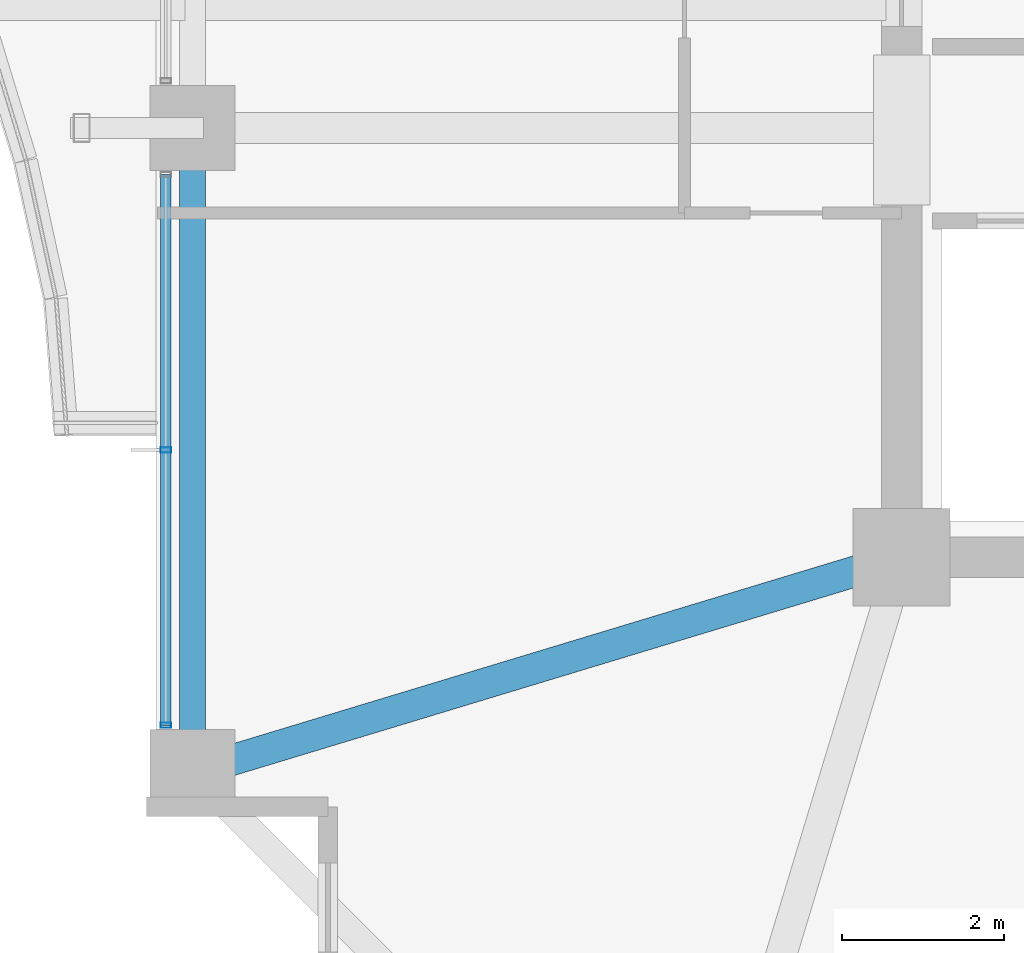
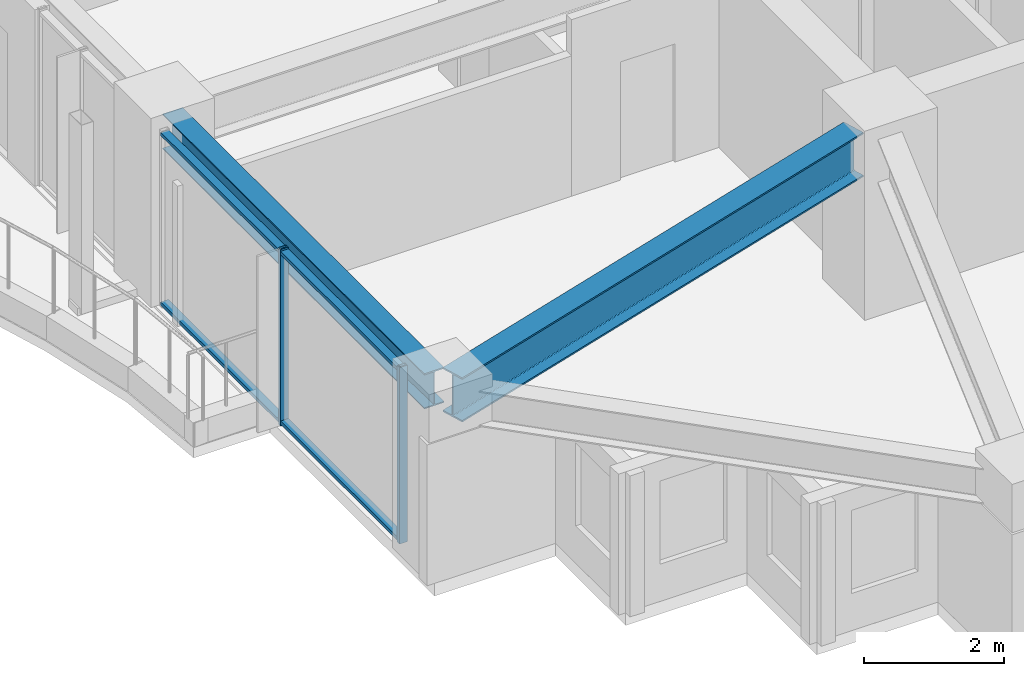
# One storey, part 3 of 38: 4 members, 2 beams, 1 element without a shape of its own.
"""IFC4 building model written with IfcOpenShell, lengths in metres."""

from ifc_helpers import new_model, si_unit, direction, frame, origin, origin_2d, place, context, subcontext, project, spatial, hollow_rectangle, i_section, extrude, material, material_profile, profile_set, type_object, element, aggregate, save


model = new_model("IFC4")

# Units and contexts
model_context = context("Model", 3, precision=1e-05, world=origin(), true_north=direction((0.0, 1.0)))
body_context = subcontext(model_context, "Body", "Model", "MODEL_VIEW")
ifc_project = project(units=[si_unit("LENGTHUNIT", "METRE"), si_unit("AREAUNIT", "SQUARE_METRE"), si_unit("VOLUMEUNIT", "CUBIC_METRE"), si_unit("PLANEANGLEUNIT", "RADIAN"), si_unit("MASSUNIT", "GRAM", prefix="KILO")], contexts=[model_context])

# Site, building, storey
site_placement = place(None, origin())
site = spatial("IfcSite", under=ifc_project, at=site_placement, CompositionType="ELEMENT")
building_placement = place(site_placement, origin())
building = spatial("IfcBuilding", under=site, at=building_placement, Name="Kolvaren Belvedere", CompositionType="ELEMENT")
storey_placement = place(building_placement, frame((0.0, 0.0, 121.699951171875)))
storey = spatial("IfcBuildingStorey", under=building, at=storey_placement, Name="L35", CompositionType="ELEMENT", Elevation=121.699951171875)

# Beams
ifc_material_1 = material(Name="Structural steel ASTM A992 Grade 50", Category="steel")
ifc_material_profile_1 = material_profile(ifc_material_1, i_section(OverallWidth=0.381103515625, OverallDepth=0.77294921875, WebThickness=0.0166015625, FlangeThickness=0.027099609375, FilletRadius=0.02392578125, at=origin_2d()), Name="W30X173")
ifc_profile_set_1 = profile_set([ifc_material_profile_1], Name="Structural steel ASTM A992 Grade 50")
beam_type_1 = type_object("IfcBeamType", Name="BM-GIRD-W30X173", PredefinedType="BEAM", material=ifc_profile_set_1)
beam_1_placement = place(storey_placement, frame((-10.426513671875, -10.059326171875, 2.693603515625), z_axis=(-0.957069465398, -0.289858652454, 0.0), x_axis=(0.289858652454, -0.957069465398, 0.0)))
element("IfcBeam", 1, at=beam_1_placement, inside=storey, type_object=beam_type_1, Name="L35 Corner Core-to-Perimeter Girder CC1-W1", PredefinedType="BEAM", context=body_context, shape_type="SweptSolid", body=[
    extrude(i_section(OverallWidth=0.381103515625, OverallDepth=0.77294921875, WebThickness=0.0166015625, FlangeThickness=0.027099609375, FilletRadius=0.02392578125, at=origin_2d()), origin(), (0.0, 0.0, 1.0), 8.38232421875),
])
ifc_material_2 = material(Name="Structural steel ASTM A992 Grade 50", Category="steel")
ifc_material_profile_2 = material_profile(ifc_material_2, i_section(OverallWidth=0.324951171875, OverallDepth=0.615966796875, WebThickness=0.013916015625, FlangeThickness=0.021484375, FilletRadius=0.02001953125, at=origin_2d()), Name="W24X117")
ifc_profile_set_2 = profile_set([ifc_material_profile_2], Name="Structural steel ASTM A992 Grade 50")
beam_type_2 = type_object("IfcBeamType", Name="BM-SPAN-W24X117", PredefinedType="SPANDREL", material=ifc_profile_set_2)
beam_2_placement = place(storey_placement, frame((-18.64990234375, -4.836181640625, 2.77197265625), z_axis=(0.0, -1.0, 0.0), x_axis=(1.0, 0.0, 0.0)))
element("IfcBeam", 2, at=beam_2_placement, inside=storey, type_object=beam_type_2, Name="L35 Perimeter Spandrel W2-W1", PredefinedType="SPANDREL", context=body_context, shape_type="SweptSolid", body=[
    extrude(i_section(OverallWidth=0.324951171875, OverallDepth=0.615966796875, WebThickness=0.013916015625, FlangeThickness=0.021484375, FilletRadius=0.02001953125, at=origin_2d()), origin(), (0.0, 0.0, 1.0), 7.4775390625),
])

# Curtain wall, members
ifc_material_3 = material(Name="Anodised pale-metal aluminium AA 6063-T6", Category="aluminium")
curtain_wall_type = type_object("IfcCurtainWallType", Name="CW-Z3-WAIST", PredefinedType="NOTDEFINED", material=ifc_material_3)
curtain_wall_placement = place(storey_placement, origin())
curtain_wall = element("IfcCurtainWall", 3, at=curtain_wall_placement, inside=storey, type_object=curtain_wall_type, Name="L35 Unitised Curtain Wall FCW-L35-W1-B1", PredefinedType="NOTDEFINED")
ifc_material_4 = material(Name="Anodised pale-metal aluminium AA 6063-T6", Category="aluminium")
ifc_material_profile_3 = material_profile(ifc_material_4, hollow_rectangle(XDim=0.06494140625, YDim=0.1298828125, WallThickness=0.00390625, at=origin_2d()), Name="ALU-MUL-130X65")
ifc_profile_set_3 = profile_set([ifc_material_profile_3], Name="Anodised pale-metal aluminium AA 6063-T6")
member_type_1 = type_object("IfcMemberType", Name="CW-MUL-130", PredefinedType="MULLION", material=ifc_profile_set_3)
member_1_placement = place(storey_placement, frame((-18.97998046875, -11.972412109375, 0.0), z_axis=(0.0, 0.0, 1.0), x_axis=(0.0, 1.0, 0.0)))
member_1 = element("IfcMember", 4, at=member_1_placement, type_object=member_type_1, Name="FCW-L35-W1-B1 Unitised Mullion 1", PredefinedType="MULLION", context=body_context, shape_type="SweptSolid", body=[
    extrude(hollow_rectangle(XDim=0.06494140625, YDim=0.1298828125, WallThickness=0.00390625, at=origin_2d()), origin(), (0.0, 0.0, 1.0), 3.080078125),
])
member_2_placement = place(storey_placement, frame((-18.97998046875, -8.574951171875, 0.0), z_axis=(0.0, 0.0, 1.0), x_axis=(0.0, 1.0, 0.0)))
member_2 = element("IfcMember", 5, at=member_2_placement, type_object=member_type_1, Name="FCW-L35-W1-B1 Unitised Mullion 2", PredefinedType="MULLION", context=body_context, shape_type="SweptSolid", body=[
    extrude(hollow_rectangle(XDim=0.06494140625, YDim=0.1298828125, WallThickness=0.00390625, at=origin_2d()), origin(), (0.0, 0.0, 1.0), 3.080078125),
])
ifc_material_5 = material(Name="Anodised pale-metal aluminium AA 6063-T6", Category="aluminium")
ifc_material_profile_4 = material_profile(ifc_material_5, hollow_rectangle(XDim=0.06005859375, YDim=0.1298828125, WallThickness=0.00390625, at=origin_2d()), Name="ALU-TRN-130X60")
ifc_profile_set_4 = profile_set([ifc_material_profile_4], Name="Anodised pale-metal aluminium AA 6063-T6")
member_type_2 = type_object("IfcMemberType", Name="CW-TRN-130", PredefinedType="USERDEFINED", material=ifc_profile_set_4)
member_3_placement = place(storey_placement, frame((-18.97998046875, -11.972412109375, 0.06005859375), z_axis=(0.0, 1.0, 0.0), x_axis=(0.0, 0.0, 1.0)))
member_3 = element("IfcMember", 6, at=member_3_placement, type_object=member_type_2, Name="FCW-L35-W1-B1 Sill Transom", ObjectType="TRANSOM", PredefinedType="USERDEFINED", context=body_context, shape_type="SweptSolid", body=[
    extrude(hollow_rectangle(XDim=0.06005859375, YDim=0.1298828125, WallThickness=0.00390625, at=origin_2d()), origin(), (0.0, 0.0, 1.0), 6.794921875),
])
member_4_placement = place(storey_placement, frame((-18.97998046875, -11.972412109375, 3.02001953125), z_axis=(0.0, 1.0, 0.0), x_axis=(0.0, 0.0, 1.0)))
member_4 = element("IfcMember", 7, at=member_4_placement, type_object=member_type_2, Name="FCW-L35-W1-B1 Head Transom", ObjectType="TRANSOM", PredefinedType="USERDEFINED", context=body_context, shape_type="SweptSolid", body=[
    extrude(hollow_rectangle(XDim=0.06005859375, YDim=0.1298828125, WallThickness=0.00390625, at=origin_2d()), origin(), (0.0, 0.0, 1.0), 6.794921875),
])
aggregate(curtain_wall, [member_1, member_2, member_3, member_4])

save(model, "model.ifc")
